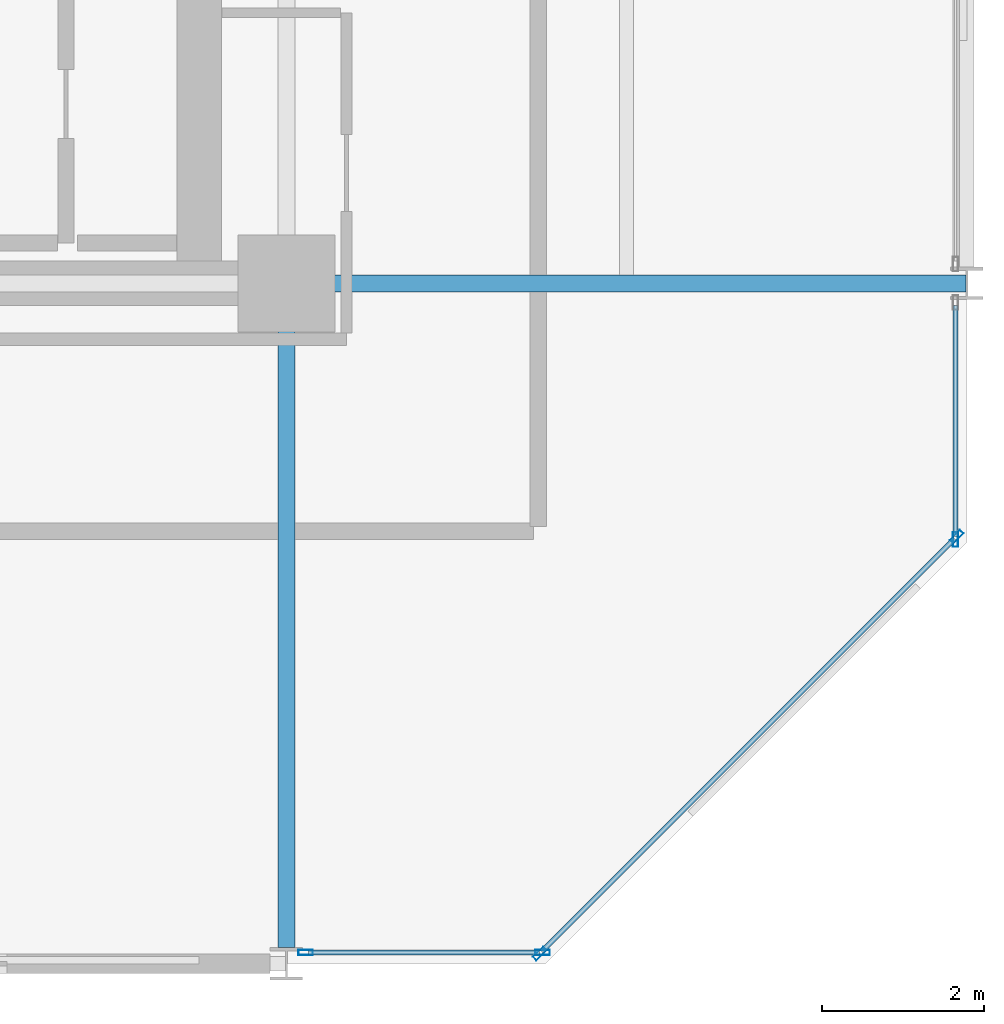
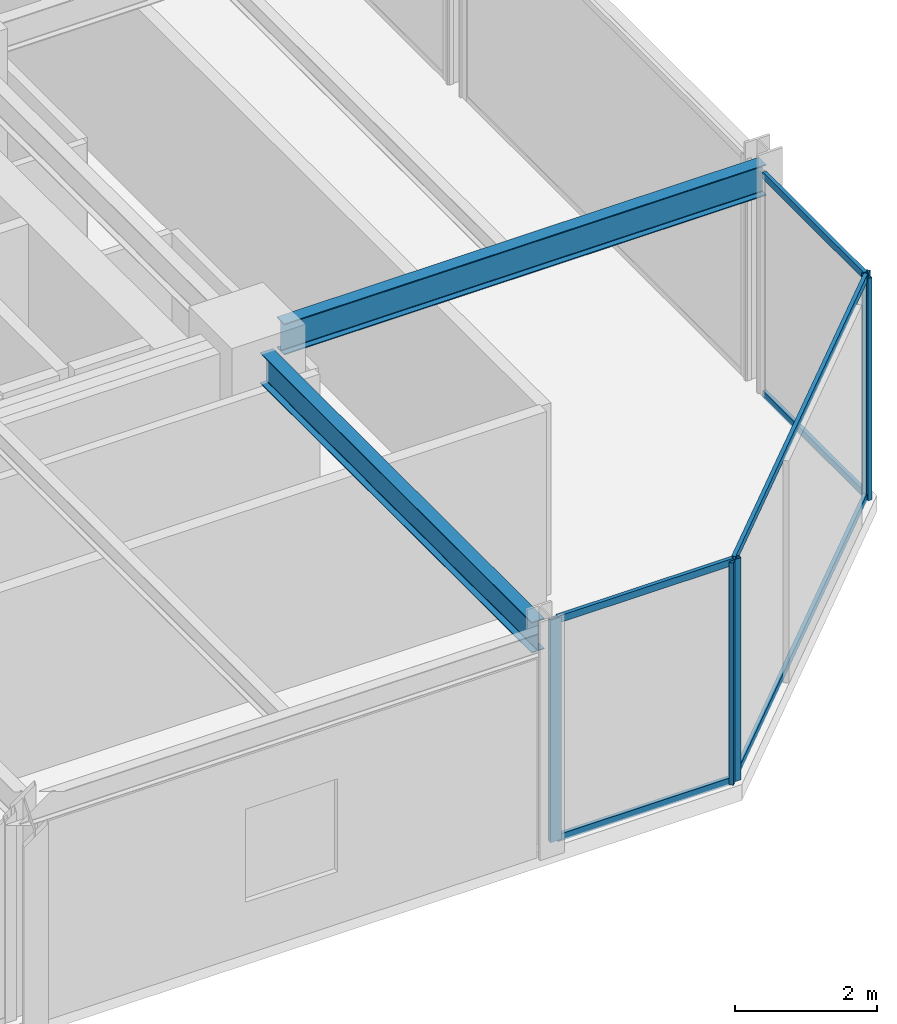
# One storey, part 13 of 29: 11 members, 2 beams, 3 elements without a shape of their own.
"""IFC4 building model written with IfcOpenShell, lengths in metres."""

from ifc_helpers import new_model, si_unit, direction, frame, origin, origin_2d, place, context, subcontext, project, spatial, hollow_rectangle, i_section, extrude, material, layer, layer_set, material_profile, profile_set, type_object, element, aggregate, save


model = new_model("IFC4")

# Units and contexts
model_context = context("Model", 3, precision=1e-05, world=origin(), true_north=direction((0.0, 1.0)))
body_context = subcontext(model_context, "Body", "Model", "MODEL_VIEW")
ifc_project = project(units=[si_unit("LENGTHUNIT", "METRE"), si_unit("AREAUNIT", "SQUARE_METRE"), si_unit("VOLUMEUNIT", "CUBIC_METRE"), si_unit("PLANEANGLEUNIT", "RADIAN"), si_unit("MASSUNIT", "GRAM", prefix="KILO")], contexts=[model_context])

# Site, building, storey
site_placement = place(None, origin())
site = spatial("IfcSite", under=ifc_project, at=site_placement, CompositionType="ELEMENT")
building_placement = place(site_placement, origin())
building = spatial("IfcBuilding", under=site, at=building_placement, Name="Nerrivon Quay Data Exchange", CompositionType="ELEMENT")
storey_placement = place(building_placement, frame((0.0, 0.0, 137.699951171875)))
storey = spatial("IfcBuildingStorey", under=building, at=storey_placement, Name="L32", CompositionType="ELEMENT", Elevation=137.699951171875)

# Beams
ifc_material_1 = material(Name="Steel Grade 350", Category="steel")
ifc_material_profile_1 = material_profile(ifc_material_1, i_section(OverallWidth=0.208984375, OverallDepth=0.532958984375, WebThickness=0.01025390625, FlangeThickness=0.015625, FilletRadius=0.013916015625, at=origin_2d()), Name="530UB92.4")
ifc_profile_set_1 = profile_set([ifc_material_profile_1], Name="Steel Grade 350")
beam_type_1 = type_object("IfcBeamType", Name="BM-G3-530UB92", PredefinedType="BEAM", material=ifc_profile_set_1)
beam_1_placement = place(storey_placement, frame((34.139892578125, 8.39990234375, 3.55859375), z_axis=(1.0, 0.0, 0.0), x_axis=(0.0, 1.0, 0.0)))
element("IfcBeam", 1, at=beam_1_placement, inside=storey, type_object=beam_type_1, Name="L32 EW Girder Y=8.4 (33.6..42.0)", PredefinedType="BEAM", context=body_context, shape_type="SweptSolid", body=[
    extrude(i_section(OverallWidth=0.208984375, OverallDepth=0.532958984375, WebThickness=0.01025390625, FlangeThickness=0.015625, FilletRadius=0.013916015625, at=origin_2d()), origin(), (0.0, 0.0, 1.0), 7.84765625),
])
ifc_material_profile_2 = material_profile(ifc_material_1, i_section(OverallWidth=0.208984375, OverallDepth=0.528076171875, WebThickness=0.009521484375, FlangeThickness=0.01318359375, FilletRadius=0.013916015625, at=origin_2d()), Name="530UB82.0")
ifc_profile_set_2 = profile_set([ifc_material_profile_2], Name="Steel Grade 350")
beam_type_2 = type_object("IfcBeamType", Name="BM-G4-530UB82", PredefinedType="BEAM", material=ifc_profile_set_2)
beam_2_placement = place(storey_placement, frame((33.60009765625, 0.199951171875, 3.56103515625), z_axis=(0.0, 1.0, 0.0), x_axis=(-1.0, 0.0, 0.0)))
element("IfcBeam", 2, at=beam_2_placement, inside=storey, type_object=beam_type_2, Name="L32 NS Girder X=33.6 (0.0..8.4)", PredefinedType="BEAM", context=body_context, shape_type="SweptSolid", body=[
    extrude(i_section(OverallWidth=0.208984375, OverallDepth=0.528076171875, WebThickness=0.009521484375, FlangeThickness=0.01318359375, FilletRadius=0.013916015625, at=origin_2d()), origin(), (0.0, 0.0, 1.0), 7.66015625),
])

# Curtain wall, members
ifc_material_2 = material(Name="Anodised aluminium 6063-T6", Category="aluminium")
ifc_layer = layer(ifc_material_2, 0.2099609375)
ifc_layer_set = layer_set([ifc_layer], Name="Anodised aluminium 6063-T6")
curtain_wall_type = type_object("IfcCurtainWallType", Name="CW-SYS-02", PredefinedType="NOTDEFINED", material=ifc_layer_set)
curtain_wall_1_placement = place(storey_placement, origin())
curtain_wall_1 = element("IfcCurtainWall", 3, at=curtain_wall_1_placement, inside=storey, type_object=curtain_wall_type, Name="L32 Unitised Curtain Wall 1", PredefinedType="NOTDEFINED")
ifc_material_profile_3 = material_profile(ifc_material_2, hollow_rectangle(XDim=0.06494140625, YDim=0.179931640625, WallThickness=0.00341796875, at=origin_2d()), Name="ALU-MULL-180x65")
ifc_profile_set_3 = profile_set([ifc_material_profile_3], Name="Anodised aluminium 6063-T6")
member_type_1 = type_object("IfcMemberType", Name="CWM-180x65", PredefinedType="MULLION", material=ifc_profile_set_3)
member_1_placement = place(storey_placement, frame((41.87451171875, 5.2724609375, 0.0), z_axis=(0.0, 0.0, 1.0), x_axis=(0.707106781187, -0.707106781187, 0.0)))
member_1 = element("IfcMember", 4, at=member_1_placement, type_object=member_type_1, Name="CW02 mullion 1", PredefinedType="MULLION", context=body_context, shape_type="SweptSolid", body=[
    extrude(hollow_rectangle(XDim=0.06494140625, YDim=0.179931640625, WallThickness=0.00341796875, at=origin_2d()), origin(), (0.0, 0.0, 1.0), 3.824951171875),
])
member_2_placement = place(storey_placement, frame((36.7275390625, 0.12548828125, 0.0), z_axis=(0.0, 0.0, 1.0), x_axis=(0.707106781187, -0.707106781187, 0.0)))
member_2 = element("IfcMember", 5, at=member_2_placement, type_object=member_type_1, Name="CW02 mullion 2", PredefinedType="MULLION", context=body_context, shape_type="SweptSolid", body=[
    extrude(hollow_rectangle(XDim=0.06494140625, YDim=0.179931640625, WallThickness=0.00341796875, at=origin_2d()), origin(), (0.0, 0.0, 1.0), 3.824951171875),
])

curtain_wall_2_placement = place(storey_placement, origin())
curtain_wall_2 = element("IfcCurtainWall", 6, at=curtain_wall_2_placement, inside=storey, type_object=curtain_wall_type, Name="L32 Unitised Curtain Wall 2", PredefinedType="NOTDEFINED")
member_3_placement = place(storey_placement, frame((36.762451171875, 0.139892578125, 0.0), z_axis=(0.0, 0.0, 1.0), x_axis=(0.0, -1.0, 0.0)))
member_3 = element("IfcMember", 7, at=member_3_placement, type_object=member_type_1, Name="CW02 mullion 1", PredefinedType="MULLION", context=body_context, shape_type="SweptSolid", body=[
    extrude(hollow_rectangle(XDim=0.06494140625, YDim=0.179931640625, WallThickness=0.00341796875, at=origin_2d()), origin(), (0.0, 0.0, 1.0), 3.824951171875),
])
member_4_placement = place(storey_placement, frame((33.83740234375, 0.139892578125, 0.0), z_axis=(0.0, 0.0, 1.0), x_axis=(0.0, -1.0, 0.0)))
member_4 = element("IfcMember", 8, at=member_4_placement, type_object=member_type_1, Name="CW02 mullion 2", PredefinedType="MULLION", context=body_context, shape_type="SweptSolid", body=[
    extrude(hollow_rectangle(XDim=0.06494140625, YDim=0.179931640625, WallThickness=0.00341796875, at=origin_2d()), origin(), (0.0, 0.0, 1.0), 3.824951171875),
])

# Curtain wall, member
curtain_wall_3_placement = place(storey_placement, origin())
curtain_wall_3 = element("IfcCurtainWall", 9, at=curtain_wall_3_placement, inside=storey, type_object=curtain_wall_type, Name="L32 Unitised Curtain Wall 30", PredefinedType="NOTDEFINED")
member_5_placement = place(storey_placement, frame((41.860107421875, 5.237548828125, 0.0), z_axis=(0.0, 0.0, 1.0), x_axis=(1.0, 0.0, 0.0)))
member_5 = element("IfcMember", 10, at=member_5_placement, type_object=member_type_1, Name="CW02 mullion 2", PredefinedType="MULLION", context=body_context, shape_type="SweptSolid", body=[
    extrude(hollow_rectangle(XDim=0.06494140625, YDim=0.179931640625, WallThickness=0.00341796875, at=origin_2d()), origin(), (0.0, 0.0, 1.0), 3.824951171875),
])

# Member
ifc_material_profile_4 = material_profile(ifc_material_2, hollow_rectangle(XDim=0.06005859375, YDim=0.1201171875, WallThickness=0.003173828125, at=origin_2d()), Name="ALU-TRAN-120x60")
ifc_profile_set_4 = profile_set([ifc_material_profile_4], Name="Anodised aluminium 6063-T6")
member_type_2 = type_object("IfcMemberType", Name="CWT-120x60", PredefinedType="USERDEFINED", material=ifc_profile_set_4)
member_6_placement = place(storey_placement, frame((41.847900390625, 5.245849609375, 0.032470703125), z_axis=(-0.707106781187, -0.707106781187, 0.0), x_axis=(0.707106781187, -0.707106781187, 0.0)))
member_6 = element("IfcMember", 11, at=member_6_placement, type_object=member_type_2, Name="CW02 transom 1.1", ObjectType="TRANSOM", PredefinedType="USERDEFINED", context=body_context, shape_type="SweptSolid", body=[
    extrude(hollow_rectangle(XDim=0.06005859375, YDim=0.1201171875, WallThickness=0.003173828125, at=origin_2d()), origin(), (0.0, 0.0, 1.0), 7.20361328125),
])

member_7_placement = place(storey_placement, frame((41.847900390625, 5.245849609375, 3.79248046875), z_axis=(-0.707106781187, -0.707106781187, 0.0), x_axis=(0.707106781187, -0.707106781187, 0.0)))
member_7 = element("IfcMember", 12, at=member_7_placement, type_object=member_type_2, Name="CW02 transom 1.2", ObjectType="TRANSOM", PredefinedType="USERDEFINED", context=body_context, shape_type="SweptSolid", body=[
    extrude(hollow_rectangle(XDim=0.06005859375, YDim=0.1201171875, WallThickness=0.003173828125, at=origin_2d()), origin(), (0.0, 0.0, 1.0), 7.20361328125),
])

aggregate(curtain_wall_1, [member_1, member_2, member_6, member_7])

member_8_placement = place(storey_placement, frame((36.72509765625, 0.139892578125, 0.032470703125), z_axis=(-1.0, 0.0, 0.0), x_axis=(0.0, -1.0, 0.0)))
member_8 = element("IfcMember", 13, at=member_8_placement, type_object=member_type_2, Name="CW02 transom 1.1", ObjectType="TRANSOM", PredefinedType="USERDEFINED", context=body_context, shape_type="SweptSolid", body=[
    extrude(hollow_rectangle(XDim=0.06005859375, YDim=0.1201171875, WallThickness=0.003173828125, at=origin_2d()), origin(), (0.0, 0.0, 1.0), 2.85009765625),
])

member_9_placement = place(storey_placement, frame((36.72509765625, 0.139892578125, 3.79248046875), z_axis=(-1.0, 0.0, 0.0), x_axis=(0.0, -1.0, 0.0)))
member_9 = element("IfcMember", 14, at=member_9_placement, type_object=member_type_2, Name="CW02 transom 1.2", ObjectType="TRANSOM", PredefinedType="USERDEFINED", context=body_context, shape_type="SweptSolid", body=[
    extrude(hollow_rectangle(XDim=0.06005859375, YDim=0.1201171875, WallThickness=0.003173828125, at=origin_2d()), origin(), (0.0, 0.0, 1.0), 2.85009765625),
])

aggregate(curtain_wall_2, [member_3, member_4, member_8, member_9])

member_10_placement = place(storey_placement, frame((41.860107421875, 8.125, 0.032470703125), z_axis=(0.0, -1.0, 0.0), x_axis=(1.0, 0.0, 0.0)))
member_10 = element("IfcMember", 15, at=member_10_placement, type_object=member_type_2, Name="CW02 transom 1.1", ObjectType="TRANSOM", PredefinedType="USERDEFINED", context=body_context, shape_type="SweptSolid", body=[
    extrude(hollow_rectangle(XDim=0.06005859375, YDim=0.1201171875, WallThickness=0.003173828125, at=origin_2d()), origin(), (0.0, 0.0, 1.0), 2.85009765625),
])

member_11_placement = place(storey_placement, frame((41.860107421875, 8.125, 3.79248046875), z_axis=(0.0, -1.0, 0.0), x_axis=(1.0, 0.0, 0.0)))
member_11 = element("IfcMember", 16, at=member_11_placement, type_object=member_type_2, Name="CW02 transom 1.2", ObjectType="TRANSOM", PredefinedType="USERDEFINED", context=body_context, shape_type="SweptSolid", body=[
    extrude(hollow_rectangle(XDim=0.06005859375, YDim=0.1201171875, WallThickness=0.003173828125, at=origin_2d()), origin(), (0.0, 0.0, 1.0), 2.85009765625),
])

aggregate(curtain_wall_3, [member_5, member_10, member_11])

save(model, "model.ifc")
